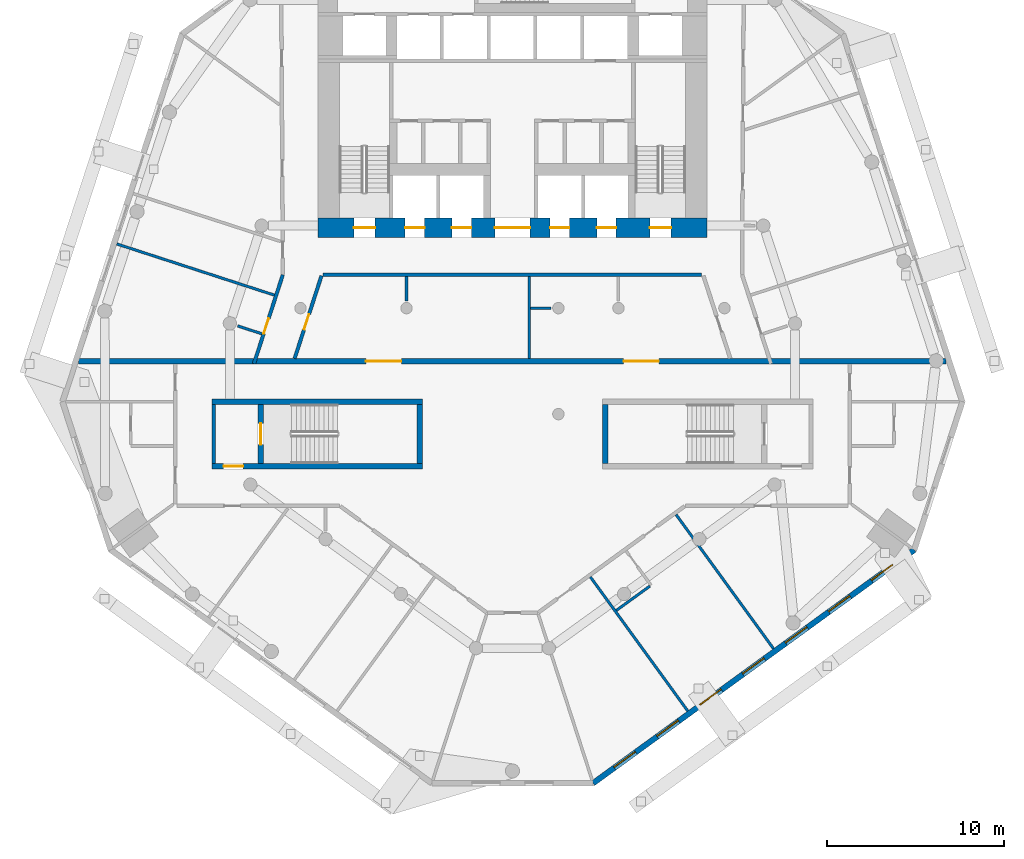
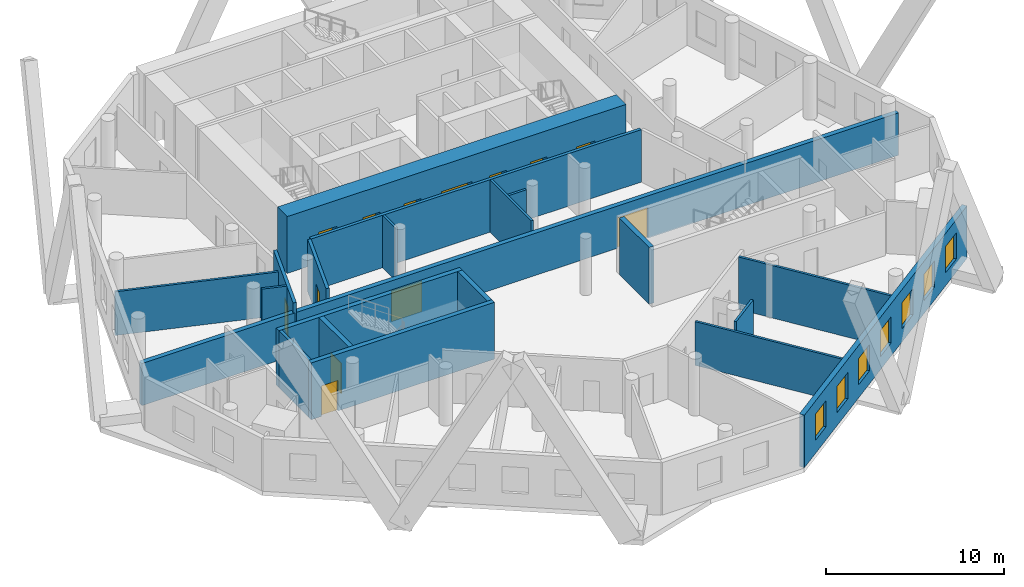
# One storey, part 4 of 10: 20 walls, 13 doors, 7 windows, 20 openings.
"""IFC4 building model written with IfcOpenShell, lengths in metres."""

from ifc_helpers import new_model, si_unit, direction, frame, frame_2d, origin, place, context, subcontext, project, spatial, rectangle, extrude, material, layer, layer_set, type_object, element, fill, save


model = new_model("IFC4")

# Units and contexts
model_context = context("Model", 3, precision=1e-05, world=origin(), true_north=direction((0.0, 1.0)))
body_context = subcontext(model_context, "Body", "Model", "MODEL_VIEW")
ifc_project = project(units=[si_unit("LENGTHUNIT", "METRE"), si_unit("AREAUNIT", "SQUARE_METRE"), si_unit("VOLUMEUNIT", "CUBIC_METRE"), si_unit("PLANEANGLEUNIT", "RADIAN"), si_unit("MASSUNIT", "GRAM", prefix="KILO")], contexts=[model_context])

# Site, building, storey
site_placement = place(None, origin())
site = spatial("IfcSite", under=ifc_project, at=site_placement, CompositionType="ELEMENT")
building_placement = place(site_placement, origin())
building = spatial("IfcBuilding", under=site, at=building_placement, Name="White Candle Pilgrim Tower", CompositionType="ELEMENT")
storey_placement = place(building_placement, frame((0.0, 0.0, 125.89990234375)))
storey = spatial("IfcBuildingStorey", under=building, at=storey_placement, Name="L28", CompositionType="ELEMENT", Elevation=125.89990234375)

# Wall
ifc_material_1 = material(Name="Concrete C60/75", Category="concrete")
ifc_layer_1 = layer(ifc_material_1, 0.199951171875)
ifc_layer_set_1 = layer_set([ifc_layer_1], Name="Core wall 200 mm Concrete C60/75")
wall_type_1 = type_object("IfcWallType", Name="Core wall 200 mm Concrete C60/75", PredefinedType="SHEAR", material=ifc_layer_set_1)
wall_1_placement = place(storey_placement, frame((53.10009765625, 58.199951171875, 0.0), z_axis=(0.0, 0.0, 1.0), x_axis=(0.0, 1.0, 0.0)))
element("IfcWall", 1, at=wall_1_placement, inside=storey, type_object=wall_type_1, Name="WL-L28-C03", PredefinedType="SHEAR", context=body_context, shape_type="SweptSolid", body=[
    extrude(rectangle(XDim=3.35009765625, YDim=0.199951171875, at=frame_2d((1.675048828125, 0.0))), origin(), (0.0, 0.0, 1.0), 3.900146484375),
])

# Wall, opening, door
ifc_material_2 = material(Name="Gypsum board on steel studs", Category="steel")
ifc_layer_2 = layer(ifc_material_2, 0.199951171875)
ifc_layer_set_2 = layer_set([ifc_layer_2], Name="Corridor wall 200 mm EI 45")
wall_type_2 = type_object("IfcWallType", Name="Corridor wall 200 mm EI 45", PredefinedType="PARTITIONING", material=ifc_layer_set_2)
wall_2_placement = place(storey_placement, frame((55.363037109375, 63.85009765625, 0.0), z_axis=(0.0, 0.0, 1.0), x_axis=(0.309051657945, 0.95104525272, 0.0)))
wall_2 = element("IfcWall", 2, at=wall_2_placement, inside=storey, type_object=wall_type_2, Name="WL-L28-P002", PredefinedType="PARTITIONING", context=body_context, shape_type="SweptSolid", body=[
    extrude(rectangle(XDim=5.29345703125, YDim=0.199951171875, at=frame_2d((2.646728515625, 0.0))), origin(), (0.0, 0.0, 1.0), 3.60009765625),
])
opening_1_placement = place(wall_2_placement, frame((1.79150390625, 0.0, 0.0)))
opening_1 = element("IfcOpeningElement", 3, at=opening_1_placement, cuts=wall_2, Name="Opening T09-117", PredefinedType="OPENING", context=body_context, shape_type="SweptSolid", body=[
    extrude(rectangle(XDim=0.89990234375, YDim=2.10009765625, at=frame_2d((0.449951171875, 1.050048828125))), frame((0.0, 0.10986328125, 0.0), z_axis=(0.0, -1.0, 0.0), x_axis=(1.0, 0.0, 0.0)), (0.0, 0.0, 1.0), 0.219970703125),
])
ifc_material_3 = material(Name="Steel door leaf", Category="steel")
door_type_1 = type_object("IfcDoorType", Name="Fire door 900 x 2100 EI 30", OperationType="NOTDEFINED", PredefinedType="DOOR", material=ifc_material_3)
door_1_placement = place(opening_1_placement, origin())
door_1 = element("IfcDoor", 4, at=door_1_placement, inside=storey, type_object=door_type_1, Name="Door T09-117", OperationType="SINGLE_SWING_LEFT", OverallHeight=2.10009765625, OverallWidth=0.89990234375, PredefinedType="DOOR", context=body_context, shape_type="SweptSolid", body=[
    extrude(rectangle(XDim=0.89990234375, YDim=2.10009765625, at=frame_2d((0.449951171875, 1.050048828125))), frame((0.0, 0.02490234375, 0.0), z_axis=(0.0, -1.0, 0.0), x_axis=(1.0, 0.0, 0.0)), (0.0, 0.0, 1.0), 0.050048828125),
])
fill(opening_1, door_1)

# Wall
wall_3_placement = place(storey_placement, frame((80.71533203125, 68.89990234375, 0.0), z_axis=(0.0, 0.0, 1.0), x_axis=(-1.0, 0.0, 0.0)))
element("IfcWall", 5, at=wall_3_placement, inside=storey, type_object=wall_type_2, Name="WL-L28-P013", PredefinedType="PARTITIONING", context=body_context, shape_type="SweptSolid", body=[
    extrude(rectangle(XDim=21.4306640625, YDim=0.199951171875, at=frame_2d((10.71533203125, 0.0))), origin(), (0.0, 0.0, 1.0), 3.60009765625),
])

# Wall, opening, door
wall_4_placement = place(storey_placement, frame((59.189697265625, 68.830810546875, 0.0), z_axis=(0.0, 0.0, 1.0), x_axis=(-0.309031112369, -0.951051928965, 0.0)))
wall_4 = element("IfcWall", 6, at=wall_4_placement, inside=storey, type_object=wall_type_2, Name="WL-L28-P014", PredefinedType="PARTITIONING", context=body_context, shape_type="SweptSolid", body=[
    extrude(rectangle(XDim=4.921875, YDim=0.199951171875, at=frame_2d((2.4609375, 0.0))), origin(), (0.0, 0.0, 1.0), 3.60009765625),
])
opening_2_placement = place(wall_4_placement, frame((2.29150390625, 0.0, 0.0)))
opening_2 = element("IfcOpeningElement", 7, at=opening_2_placement, cuts=wall_4, Name="Opening T09-127", PredefinedType="OPENING", context=body_context, shape_type="SweptSolid", body=[
    extrude(rectangle(XDim=0.89990234375, YDim=2.10009765625, at=frame_2d((0.449951171875, 1.050048828125))), frame((0.0, 0.10986328125, 0.0), z_axis=(0.0, -1.0, 0.0), x_axis=(1.0, 0.0, 0.0)), (0.0, 0.0, 1.0), 0.219970703125),
])
door_2_placement = place(opening_2_placement, origin())
door_2 = element("IfcDoor", 8, at=door_2_placement, inside=storey, type_object=door_type_1, Name="Door T09-127", OperationType="SINGLE_SWING_LEFT", OverallHeight=2.10009765625, OverallWidth=0.89990234375, PredefinedType="DOOR", context=body_context, shape_type="SweptSolid", body=[
    extrude(rectangle(XDim=0.89990234375, YDim=2.10009765625, at=frame_2d((0.449951171875, 1.050048828125))), frame((0.0, 0.02490234375, 0.0), z_axis=(0.0, -1.0, 0.0), x_axis=(1.0, 0.0, 0.0)), (0.0, 0.0, 1.0), 0.050048828125),
])
fill(opening_2, door_2)

# Wall, openings, windows
ifc_material_4 = material(Name="Precast concrete C40/50", Category="concrete")
ifc_layer_3 = layer(ifc_material_4, 0.320068359375)
ifc_layer_set_3 = layer_set([ifc_layer_3], Name="Facade wall EW1 precast concrete C40/50 pier wall with timber-lined reveals")
wall_type_3 = type_object("IfcWallType", Name="Facade wall EW1 precast concrete C40/50 pier wall with timber-lined reveals", PredefinedType="SOLIDWALL", material=ifc_layer_set_3)
wall_5_placement = place(storey_placement, frame((74.56787109375, 40.106689453125, 0.0), z_axis=(0.0, 0.0, 1.0), x_axis=(0.809018352132, 0.587783383496, 0.0)))
wall_5 = element("IfcWall", 9, at=wall_5_placement, inside=storey, type_object=wall_type_3, Name="Facade wall L28 SE", PredefinedType="SOLIDWALL", context=body_context, shape_type="SweptSolid", body=[
    extrude(rectangle(XDim=22.47119140625, YDim=0.320068359375, at=frame_2d((11.235595703125, 0.0))), origin(), (0.0, 0.0, 1.0), 3.60009765625),
])
opening_3_placement = place(wall_5_placement, frame((1.485595703125, 0.0, 0.89990234375)))
opening_3 = element("IfcOpeningElement", 10, at=opening_3_placement, cuts=wall_5, Name="Opening W1", PredefinedType="OPENING", context=body_context, shape_type="SweptSolid", body=[
    extrude(rectangle(XDim=1.5, YDim=1.800048828125, at=frame_2d((0.75, 0.89990234375))), frame((0.0, 0.169921875, 0.0), z_axis=(0.0, -1.0, 0.0), x_axis=(1.0, 0.0, 0.0)), (0.0, 0.0, 1.0), 0.340087890625),
])
opening_4_placement = place(wall_5_placement, frame((4.485595703125, 0.0, 0.89990234375)))
opening_4 = element("IfcOpeningElement", 11, at=opening_4_placement, cuts=wall_5, Name="Opening W1", PredefinedType="OPENING", context=body_context, shape_type="SweptSolid", body=[
    extrude(rectangle(XDim=1.5, YDim=1.800048828125, at=frame_2d((0.75, 0.89990234375))), frame((0.0, 0.169921875, 0.0), z_axis=(0.0, -1.0, 0.0), x_axis=(1.0, 0.0, 0.0)), (0.0, 0.0, 1.0), 0.340087890625),
])
opening_5_placement = place(wall_5_placement, frame((7.485595703125, 0.0, 0.89990234375)))
opening_5 = element("IfcOpeningElement", 12, at=opening_5_placement, cuts=wall_5, Name="Opening W1", PredefinedType="OPENING", context=body_context, shape_type="SweptSolid", body=[
    extrude(rectangle(XDim=1.5, YDim=1.800048828125, at=frame_2d((0.75, 0.89990234375))), frame((0.0, 0.169921875, 0.0), z_axis=(0.0, -1.0, 0.0), x_axis=(1.0, 0.0, 0.0)), (0.0, 0.0, 1.0), 0.340087890625),
])
opening_6_placement = place(wall_5_placement, frame((10.485595703125, 0.0, 0.89990234375)))
opening_6 = element("IfcOpeningElement", 13, at=opening_6_placement, cuts=wall_5, Name="Opening W1", PredefinedType="OPENING", context=body_context, shape_type="SweptSolid", body=[
    extrude(rectangle(XDim=1.5, YDim=1.800048828125, at=frame_2d((0.75, 0.89990234375))), frame((0.0, 0.169921875, 0.0), z_axis=(0.0, -1.0, 0.0), x_axis=(1.0, 0.0, 0.0)), (0.0, 0.0, 1.0), 0.340087890625),
])
opening_7_placement = place(wall_5_placement, frame((13.485595703125, 0.0, 0.89990234375)))
opening_7 = element("IfcOpeningElement", 14, at=opening_7_placement, cuts=wall_5, Name="Opening W1", PredefinedType="OPENING", context=body_context, shape_type="SweptSolid", body=[
    extrude(rectangle(XDim=1.5, YDim=1.800048828125, at=frame_2d((0.75, 0.89990234375))), frame((0.0, 0.169921875, 0.0), z_axis=(0.0, -1.0, 0.0), x_axis=(1.0, 0.0, 0.0)), (0.0, 0.0, 1.0), 0.340087890625),
])
opening_8_placement = place(wall_5_placement, frame((16.485595703125, 0.0, 0.89990234375)))
opening_8 = element("IfcOpeningElement", 15, at=opening_8_placement, cuts=wall_5, Name="Opening W1", PredefinedType="OPENING", context=body_context, shape_type="SweptSolid", body=[
    extrude(rectangle(XDim=1.5, YDim=1.800048828125, at=frame_2d((0.75, 0.89990234375))), frame((0.0, 0.169921875, 0.0), z_axis=(0.0, -1.0, 0.0), x_axis=(1.0, 0.0, 0.0)), (0.0, 0.0, 1.0), 0.340087890625),
])
opening_9_placement = place(wall_5_placement, frame((19.485595703125, 0.0, 0.89990234375)))
opening_9 = element("IfcOpeningElement", 16, at=opening_9_placement, cuts=wall_5, Name="Opening W1", PredefinedType="OPENING", context=body_context, shape_type="SweptSolid", body=[
    extrude(rectangle(XDim=1.5, YDim=1.800048828125, at=frame_2d((0.75, 0.89990234375))), frame((0.0, 0.169921875, 0.0), z_axis=(0.0, -1.0, 0.0), x_axis=(1.0, 0.0, 0.0)), (0.0, 0.0, 1.0), 0.340087890625),
])
ifc_material_5 = material(Name="Timber frame with triple glazing", Category="wood")
window_type = type_object("IfcWindowType", Name="Window W1 1500x1800 timber frame triple glazing", PartitioningType="SINGLE_PANEL", PredefinedType="WINDOW", material=ifc_material_5)
window_1_placement = place(opening_3_placement, origin())
window_1 = element("IfcWindow", 17, at=window_1_placement, inside=storey, type_object=window_type, Name="Window W1 L28 SE 1", OverallHeight=1.800048828125, OverallWidth=1.5, PartitioningType="SINGLE_PANEL", PredefinedType="WINDOW", context=body_context, shape_type="SweptSolid", body=[
    extrude(rectangle(XDim=1.5, YDim=1.800048828125, at=frame_2d((0.75, 0.89990234375))), frame((0.0, 0.070068359375, 0.0), z_axis=(0.0, -1.0, 0.0), x_axis=(1.0, 0.0, 0.0)), (0.0, 0.0, 1.0), 0.06005859375),
])
fill(opening_3, window_1)
window_2_placement = place(opening_4_placement, origin())
window_2 = element("IfcWindow", 18, at=window_2_placement, inside=storey, type_object=window_type, Name="Window W1 L28 SE 2", OverallHeight=1.800048828125, OverallWidth=1.5, PartitioningType="SINGLE_PANEL", PredefinedType="WINDOW", context=body_context, shape_type="SweptSolid", body=[
    extrude(rectangle(XDim=1.5, YDim=1.800048828125, at=frame_2d((0.75, 0.89990234375))), frame((0.0, 0.070068359375, 0.0), z_axis=(0.0, -1.0, 0.0), x_axis=(1.0, 0.0, 0.0)), (0.0, 0.0, 1.0), 0.06005859375),
])
fill(opening_4, window_2)
window_3_placement = place(opening_5_placement, origin())
window_3 = element("IfcWindow", 19, at=window_3_placement, inside=storey, type_object=window_type, Name="Window W1 L28 SE 3", OverallHeight=1.800048828125, OverallWidth=1.5, PartitioningType="SINGLE_PANEL", PredefinedType="WINDOW", context=body_context, shape_type="SweptSolid", body=[
    extrude(rectangle(XDim=1.5, YDim=1.800048828125, at=frame_2d((0.75, 0.89990234375))), frame((0.0, 0.070068359375, 0.0), z_axis=(0.0, -1.0, 0.0), x_axis=(1.0, 0.0, 0.0)), (0.0, 0.0, 1.0), 0.06005859375),
])
fill(opening_5, window_3)
window_4_placement = place(opening_6_placement, origin())
window_4 = element("IfcWindow", 20, at=window_4_placement, inside=storey, type_object=window_type, Name="Window W1 L28 SE 4", OverallHeight=1.800048828125, OverallWidth=1.5, PartitioningType="SINGLE_PANEL", PredefinedType="WINDOW", context=body_context, shape_type="SweptSolid", body=[
    extrude(rectangle(XDim=1.5, YDim=1.800048828125, at=frame_2d((0.75, 0.89990234375))), frame((0.0, 0.070068359375, 0.0), z_axis=(0.0, -1.0, 0.0), x_axis=(1.0, 0.0, 0.0)), (0.0, 0.0, 1.0), 0.06005859375),
])
fill(opening_6, window_4)
window_5_placement = place(opening_7_placement, origin())
window_5 = element("IfcWindow", 21, at=window_5_placement, inside=storey, type_object=window_type, Name="Window W1 L28 SE 5", OverallHeight=1.800048828125, OverallWidth=1.5, PartitioningType="SINGLE_PANEL", PredefinedType="WINDOW", context=body_context, shape_type="SweptSolid", body=[
    extrude(rectangle(XDim=1.5, YDim=1.800048828125, at=frame_2d((0.75, 0.89990234375))), frame((0.0, 0.070068359375, 0.0), z_axis=(0.0, -1.0, 0.0), x_axis=(1.0, 0.0, 0.0)), (0.0, 0.0, 1.0), 0.06005859375),
])
fill(opening_7, window_5)
window_6_placement = place(opening_8_placement, origin())
window_6 = element("IfcWindow", 22, at=window_6_placement, inside=storey, type_object=window_type, Name="Window W1 L28 SE 6", OverallHeight=1.800048828125, OverallWidth=1.5, PartitioningType="SINGLE_PANEL", PredefinedType="WINDOW", context=body_context, shape_type="SweptSolid", body=[
    extrude(rectangle(XDim=1.5, YDim=1.800048828125, at=frame_2d((0.75, 0.89990234375))), frame((0.0, 0.070068359375, 0.0), z_axis=(0.0, -1.0, 0.0), x_axis=(1.0, 0.0, 0.0)), (0.0, 0.0, 1.0), 0.06005859375),
])
fill(opening_8, window_6)
window_7_placement = place(opening_9_placement, origin())
window_7 = element("IfcWindow", 23, at=window_7_placement, inside=storey, type_object=window_type, Name="Window W1 L28 SE 7", OverallHeight=1.800048828125, OverallWidth=1.5, PartitioningType="SINGLE_PANEL", PredefinedType="WINDOW", context=body_context, shape_type="SweptSolid", body=[
    extrude(rectangle(XDim=1.5, YDim=1.800048828125, at=frame_2d((0.75, 0.89990234375))), frame((0.0, 0.070068359375, 0.0), z_axis=(0.0, -1.0, 0.0), x_axis=(1.0, 0.0, 0.0)), (0.0, 0.0, 1.0), 0.06005859375),
])
fill(opening_9, window_7)

# Wall, openings, doors
ifc_material_6 = material(Name="Aerated concrete block", Category="concrete")
ifc_layer_4 = layer(ifc_material_6, 0.300048828125)
ifc_layer_set_4 = layer_set([ifc_layer_4], Name="Fire wall 300 mm REI 240")
wall_type_4 = type_object("IfcWallType", Name="Fire wall 300 mm REI 240", PredefinedType="PARTITIONING", material=ifc_layer_set_4)
wall_6_placement = place(storey_placement, frame((45.444091796875, 64.0, 0.0), z_axis=(0.0, 0.0, 1.0), x_axis=(1.0, 0.0, 0.0)))
wall_6 = element("IfcWall", 24, at=wall_6_placement, inside=storey, type_object=wall_type_4, Name="WL-L28-P001", PredefinedType="PARTITIONING", context=body_context, shape_type="SweptSolid", body=[
    extrude(rectangle(XDim=49.11181640625, YDim=0.300048828125, at=frame_2d((24.555908203125, 0.0))), origin(), (0.0, 0.0, 1.0), 2.900146484375),
])
opening_10_placement = place(wall_6_placement, frame((16.261962890625, 0.0, 0.0)))
opening_10 = element("IfcOpeningElement", 25, at=opening_10_placement, cuts=wall_6, Name="Opening T09-114", PredefinedType="OPENING", context=body_context, shape_type="SweptSolid", body=[
    extrude(rectangle(XDim=2.0, YDim=2.10009765625, at=frame_2d((1.0, 1.050048828125))), frame((0.0, 0.159912109375, 0.0), z_axis=(0.0, -1.0, 0.0), x_axis=(1.0, 0.0, 0.0)), (0.0, 0.0, 1.0), 0.320068359375),
])
opening_11_placement = place(wall_6_placement, frame((30.85009765625, 0.0, 0.0)))
opening_11 = element("IfcOpeningElement", 26, at=opening_11_placement, cuts=wall_6, Name="Opening T09-115", PredefinedType="OPENING", context=body_context, shape_type="SweptSolid", body=[
    extrude(rectangle(XDim=2.0, YDim=2.10009765625, at=frame_2d((1.0, 1.050048828125))), frame((0.0, 0.159912109375, 0.0), z_axis=(0.0, -1.0, 0.0), x_axis=(1.0, 0.0, 0.0)), (0.0, 0.0, 1.0), 0.320068359375),
])
door_type_2 = type_object("IfcDoorType", Name="Fire door 2000 x 2100 EI 60", OperationType="NOTDEFINED", PredefinedType="DOOR", material=ifc_material_3)
door_3_placement = place(opening_10_placement, origin())
door_3 = element("IfcDoor", 27, at=door_3_placement, inside=storey, type_object=door_type_2, Name="Door T09-114", OperationType="DOUBLE_DOOR_SINGLE_SWING", OverallHeight=2.10009765625, OverallWidth=2.0, PredefinedType="DOOR", context=body_context, shape_type="SweptSolid", body=[
    extrude(rectangle(XDim=2.0, YDim=2.10009765625, at=frame_2d((1.0, 1.050048828125))), frame((0.0, 0.02490234375, 0.0), z_axis=(0.0, -1.0, 0.0), x_axis=(1.0, 0.0, 0.0)), (0.0, 0.0, 1.0), 0.050048828125),
])
fill(opening_10, door_3)
door_4_placement = place(opening_11_placement, origin())
door_4 = element("IfcDoor", 28, at=door_4_placement, inside=storey, type_object=door_type_2, Name="Door T09-115", OperationType="DOUBLE_DOOR_SINGLE_SWING", OverallHeight=2.10009765625, OverallWidth=2.0, PredefinedType="DOOR", context=body_context, shape_type="SweptSolid", body=[
    extrude(rectangle(XDim=2.0, YDim=2.10009765625, at=frame_2d((1.0, 1.050048828125))), frame((0.0, 0.02490234375, 0.0), z_axis=(0.0, -1.0, 0.0), x_axis=(1.0, 0.0, 0.0)), (0.0, 0.0, 1.0), 0.050048828125),
])
fill(opening_11, door_4)

# Walls
ifc_layer_5 = layer(ifc_material_2, 0.14990234375)
ifc_layer_set_5 = layer_set([ifc_layer_5], Name="Partition 150 mm EI 60")
wall_type_5 = type_object("IfcWallType", Name="Partition 150 mm EI 60", PredefinedType="PARTITIONING", material=ifc_layer_set_5)
for number, where, z_axis, x_axis, name in (
    (29, (47.599609375, 70.6337890625, 0.0), (0.0, 0.0, 1.0), (0.951060843481, -0.309003676349, 0.0), "WL-L28-P025"),
    (30, (79.923095703125, 44.1953125, 0.0), (0.0, 0.0, 1.0), (-0.587795561305, 0.809009504339, 0.0), "WL-L28-P031"),
):
    element("IfcWall", number, at=place(storey_placement, frame(where, z_axis=z_axis, x_axis=x_axis)), inside=storey, type_object=wall_type_5, Name=name, PredefinedType="PARTITIONING", context=body_context, shape_type="SweptSolid", body=[
        extrude(rectangle(XDim=9.3798828125, YDim=0.14990234375, at=frame_2d((4.68994140625, 0.0))), origin(), (0.0, 0.0, 1.0), 3.0),
    ])
wall_7_placement = place(storey_placement, frame((84.77734375, 47.721923828125, 0.0), z_axis=(0.0, 0.0, 1.0), x_axis=(-0.587783184234, 0.809018496903, 0.0)))
element("IfcWall", 31, at=wall_7_placement, inside=storey, type_object=wall_type_5, Name="WL-L28-P032", PredefinedType="PARTITIONING", context=body_context, shape_type="SweptSolid", body=[
    extrude(rectangle(XDim=9.380126953125, YDim=0.14990234375, at=frame_2d((4.68994140625, 0.0))), origin(), (0.0, 0.0, 1.0), 3.60009765625),
])
wall_8_placement = place(storey_placement, frame((75.881103515625, 49.88623046875, 0.0), z_axis=(0.0, 0.0, 1.0), x_axis=(0.808996573949, 0.587813357571, 0.0)))
element("IfcWall", 32, at=wall_8_placement, inside=storey, type_object=wall_type_5, Name="WL-L28-P034", PredefinedType="PARTITIONING", context=body_context, shape_type="SweptSolid", body=[
    extrude(rectangle(XDim=2.35009765625, YDim=0.14990234375, at=frame_2d((1.175048828125, 0.0))), origin(), (0.0, 0.0, 1.0), 3.60009765625),
])
wall_9_placement = place(storey_placement, frame((70.95458984375, 64.14990234375, 0.0), z_axis=(0.0, 0.0, 1.0), x_axis=(0.0, 1.0, 0.0)))
element("IfcWall", 33, at=wall_9_placement, inside=storey, type_object=wall_type_5, Name="WL-L28-P039", PredefinedType="PARTITIONING", context=body_context, shape_type="SweptSolid", body=[
    extrude(rectangle(XDim=4.650146484375, YDim=0.14990234375, at=frame_2d((2.3251953125, 0.0))), origin(), (0.0, 0.0, 1.0), 3.60009765625),
])
wall_10_placement = place(storey_placement, frame((54.441162109375, 65.992919921875, 0.0), z_axis=(0.0, 0.0, 1.0), x_axis=(0.951031575326, -0.309093744246, 0.0)))
element("IfcWall", 34, at=wall_10_placement, inside=storey, type_object=wall_type_5, Name="WL-L28-P044", PredefinedType="PARTITIONING", context=body_context, shape_type="SweptSolid", body=[
    extrude(rectangle(XDim=1.439208984375, YDim=0.14990234375, at=frame_2d((0.7197265625, 0.0))), origin(), (0.0, 0.0, 1.0), 3.60009765625),
])
wall_11_placement = place(storey_placement, frame((63.997802734375, 67.4150390625, 0.0), z_axis=(0.0, 0.0, 1.0), x_axis=(0.0, 1.0, 0.0)))
element("IfcWall", 35, at=wall_11_placement, inside=storey, type_object=wall_type_5, Name="WL-L28-P045", PredefinedType="PARTITIONING", context=body_context, shape_type="SweptSolid", body=[
    extrude(rectangle(XDim=1.385009765625, YDim=0.14990234375, at=frame_2d((0.6923828125, 0.0))), origin(), (0.0, 0.0, 1.0), 3.60009765625),
])
wall_12_placement = place(storey_placement, frame((72.18505859375, 66.997802734375, 0.0), z_axis=(0.0, 0.0, 1.0), x_axis=(-1.0, 0.0, 0.0)))
element("IfcWall", 36, at=wall_12_placement, inside=storey, type_object=wall_type_5, Name="WL-L28-P046", PredefinedType="PARTITIONING", context=body_context, shape_type="SweptSolid", body=[
    extrude(rectangle(XDim=1.155517578125, YDim=0.14990234375, at=frame_2d((0.57763671875, 0.0))), origin(), (0.0, 0.0, 1.0), 3.60009765625),
])

# Wall, openings, doors
ifc_layer_6 = layer(ifc_material_1, 1.10009765625)
ifc_layer_set_6 = layer_set([ifc_layer_6], Name="Stair shaft wall 1100 mm Concrete C60/75")
wall_type_6 = type_object("IfcWallType", Name="Stair shaft wall 1100 mm Concrete C60/75", PredefinedType="SHEAR", material=ifc_layer_set_6)
wall_13_placement = place(storey_placement, frame((59.0, 71.550048828125, 0.0), z_axis=(0.0, 0.0, 1.0), x_axis=(1.0, 0.0, 0.0)))
wall_13 = element("IfcWall", 37, at=wall_13_placement, inside=storey, type_object=wall_type_6, Name="WL-L28-C11", PredefinedType="SHEAR", context=body_context, shape_type="SweptSolid", body=[
    extrude(rectangle(XDim=22.0, YDim=1.10009765625, at=frame_2d((11.0, 0.0))), origin(), (0.0, 0.0, 1.0), 3.900146484375),
])
opening_12_placement = place(wall_13_placement, frame((2.02490234375, 0.0, 0.0)))
opening_12 = element("IfcOpeningElement", 38, at=opening_12_placement, cuts=wall_13, Name="Opening T09-001", PredefinedType="OPENING", context=body_context, shape_type="SweptSolid", body=[
    extrude(rectangle(XDim=1.199951171875, YDim=2.10009765625, at=frame_2d((0.60009765625, 1.050048828125))), frame((0.0, 0.56005859375, 0.0), z_axis=(0.0, -1.0, 0.0), x_axis=(1.0, 0.0, 0.0)), (0.0, 0.0, 1.0), 1.1201171875),
])
opening_13_placement = place(wall_13_placement, frame((18.77490234375, 0.0, 0.0)))
opening_13 = element("IfcOpeningElement", 39, at=opening_13_placement, cuts=wall_13, Name="Opening T09-002", PredefinedType="OPENING", context=body_context, shape_type="SweptSolid", body=[
    extrude(rectangle(XDim=1.199951171875, YDim=2.10009765625, at=frame_2d((0.60009765625, 1.050048828125))), frame((0.0, 0.56005859375, 0.0), z_axis=(0.0, -1.0, 0.0), x_axis=(1.0, 0.0, 0.0)), (0.0, 0.0, 1.0), 1.1201171875),
])
opening_14_placement = place(wall_13_placement, frame((10.0, 0.0, 0.0)))
opening_14 = element("IfcOpeningElement", 40, at=opening_14_placement, cuts=wall_13, Name="Opening T09-004", PredefinedType="OPENING", context=body_context, shape_type="SweptSolid", body=[
    extrude(rectangle(XDim=2.0, YDim=2.10009765625, at=frame_2d((1.0, 1.050048828125))), frame((0.0, 0.56005859375, 0.0), z_axis=(0.0, -1.0, 0.0), x_axis=(1.0, 0.0, 0.0)), (0.0, 0.0, 1.0), 1.1201171875),
])
opening_15_placement = place(wall_13_placement, frame((4.925048828125, 0.0, 0.0)))
opening_15 = element("IfcOpeningElement", 41, at=opening_15_placement, cuts=wall_13, Name="Opening T09-014", PredefinedType="OPENING", context=body_context, shape_type="SweptSolid", body=[
    extrude(rectangle(XDim=1.10009765625, YDim=2.10009765625, at=frame_2d((0.550048828125, 1.050048828125))), frame((0.0, 0.56005859375, 0.0), z_axis=(0.0, -1.0, 0.0), x_axis=(1.0, 0.0, 0.0)), (0.0, 0.0, 1.0), 1.1201171875),
])
opening_16_placement = place(wall_13_placement, frame((7.574951171875, 0.0, 0.0)))
opening_16 = element("IfcOpeningElement", 42, at=opening_16_placement, cuts=wall_13, Name="Opening T09-015", PredefinedType="OPENING", context=body_context, shape_type="SweptSolid", body=[
    extrude(rectangle(XDim=1.10009765625, YDim=2.10009765625, at=frame_2d((0.550048828125, 1.050048828125))), frame((0.0, 0.56005859375, 0.0), z_axis=(0.0, -1.0, 0.0), x_axis=(1.0, 0.0, 0.0)), (0.0, 0.0, 1.0), 1.1201171875),
])
opening_17_placement = place(wall_13_placement, frame((13.125, 0.0, 0.0)))
opening_17 = element("IfcOpeningElement", 43, at=opening_17_placement, cuts=wall_13, Name="Opening T09-016", PredefinedType="OPENING", context=body_context, shape_type="SweptSolid", body=[
    extrude(rectangle(XDim=1.10009765625, YDim=2.10009765625, at=frame_2d((0.550048828125, 1.050048828125))), frame((0.0, 0.56005859375, 0.0), z_axis=(0.0, -1.0, 0.0), x_axis=(1.0, 0.0, 0.0)), (0.0, 0.0, 1.0), 1.1201171875),
])
opening_18_placement = place(wall_13_placement, frame((15.77490234375, 0.0, 0.0)))
opening_18 = element("IfcOpeningElement", 44, at=opening_18_placement, cuts=wall_13, Name="Opening T09-017", PredefinedType="OPENING", context=body_context, shape_type="SweptSolid", body=[
    extrude(rectangle(XDim=1.10009765625, YDim=2.10009765625, at=frame_2d((0.550048828125, 1.050048828125))), frame((0.0, 0.56005859375, 0.0), z_axis=(0.0, -1.0, 0.0), x_axis=(1.0, 0.0, 0.0)), (0.0, 0.0, 1.0), 1.1201171875),
])
door_type_3 = type_object("IfcDoorType", Name="Fire door 1200 x 2100 EI 60", OperationType="NOTDEFINED", PredefinedType="DOOR", material=ifc_material_3)
door_5_placement = place(opening_12_placement, frame((1.199951171875, 0.0, 0.0), z_axis=(0.0, 0.0, 1.0), x_axis=(-1.0, 0.0, 0.0)))
door_5 = element("IfcDoor", 45, at=door_5_placement, inside=storey, type_object=door_type_3, Name="Door T09-001", OperationType="SINGLE_SWING_RIGHT", OverallHeight=2.10009765625, OverallWidth=1.199951171875, PredefinedType="DOOR", context=body_context, shape_type="SweptSolid", body=[
    extrude(rectangle(XDim=1.199951171875, YDim=2.10009765625, at=frame_2d((0.60009765625, 1.050048828125))), frame((0.0, 0.02490234375, 0.0), z_axis=(0.0, -1.0, 0.0), x_axis=(1.0, 0.0, 0.0)), (0.0, 0.0, 1.0), 0.050048828125),
])
fill(opening_12, door_5)
door_6_placement = place(opening_13_placement, frame((1.199951171875, 0.0, 0.0), z_axis=(0.0, 0.0, 1.0), x_axis=(-1.0, 0.0, 0.0)))
door_6 = element("IfcDoor", 46, at=door_6_placement, inside=storey, type_object=door_type_3, Name="Door T09-002", OperationType="SINGLE_SWING_LEFT", OverallHeight=2.10009765625, OverallWidth=1.199951171875, PredefinedType="DOOR", context=body_context, shape_type="SweptSolid", body=[
    extrude(rectangle(XDim=1.199951171875, YDim=2.10009765625, at=frame_2d((0.60009765625, 1.050048828125))), frame((0.0, 0.02490234375, 0.0), z_axis=(0.0, -1.0, 0.0), x_axis=(1.0, 0.0, 0.0)), (0.0, 0.0, 1.0), 0.050048828125),
])
fill(opening_13, door_6)
door_7_placement = place(opening_14_placement, frame((2.0, 0.0, 0.0), z_axis=(0.0, 0.0, 1.0), x_axis=(-1.0, 0.0, 0.0)))
door_7 = element("IfcDoor", 47, at=door_7_placement, inside=storey, type_object=door_type_2, Name="Door T09-004", OperationType="DOUBLE_DOOR_SINGLE_SWING", OverallHeight=2.10009765625, OverallWidth=2.0, PredefinedType="DOOR", context=body_context, shape_type="SweptSolid", body=[
    extrude(rectangle(XDim=2.0, YDim=2.10009765625, at=frame_2d((1.0, 1.050048828125))), frame((0.0, 0.02490234375, 0.0), z_axis=(0.0, -1.0, 0.0), x_axis=(1.0, 0.0, 0.0)), (0.0, 0.0, 1.0), 0.050048828125),
])
fill(opening_14, door_7)
ifc_material_7 = material(Name="Stainless steel", Category="steel")
door_type_4 = type_object("IfcDoorType", Name="Lift landing door 1100 x 2100 E 60", OperationType="DOUBLE_DOOR_SLIDING", PredefinedType="DOOR", material=ifc_material_7)
door_8_placement = place(opening_15_placement, origin())
door_8 = element("IfcDoor", 48, at=door_8_placement, inside=storey, type_object=door_type_4, Name="Door T09-014", OperationType="DOUBLE_DOOR_SLIDING", OverallHeight=2.10009765625, OverallWidth=1.10009765625, PredefinedType="DOOR", context=body_context, shape_type="SweptSolid", body=[
    extrude(rectangle(XDim=1.10009765625, YDim=2.10009765625, at=frame_2d((0.550048828125, 1.050048828125))), frame((0.0, 0.02490234375, 0.0), z_axis=(0.0, -1.0, 0.0), x_axis=(1.0, 0.0, 0.0)), (0.0, 0.0, 1.0), 0.050048828125),
])
fill(opening_15, door_8)
door_9_placement = place(opening_16_placement, origin())
door_9 = element("IfcDoor", 49, at=door_9_placement, inside=storey, type_object=door_type_4, Name="Door T09-015", OperationType="DOUBLE_DOOR_SLIDING", OverallHeight=2.10009765625, OverallWidth=1.10009765625, PredefinedType="DOOR", context=body_context, shape_type="SweptSolid", body=[
    extrude(rectangle(XDim=1.10009765625, YDim=2.10009765625, at=frame_2d((0.550048828125, 1.050048828125))), frame((0.0, 0.02490234375, 0.0), z_axis=(0.0, -1.0, 0.0), x_axis=(1.0, 0.0, 0.0)), (0.0, 0.0, 1.0), 0.050048828125),
])
fill(opening_16, door_9)
door_10_placement = place(opening_17_placement, origin())
door_10 = element("IfcDoor", 50, at=door_10_placement, inside=storey, type_object=door_type_4, Name="Door T09-016", OperationType="DOUBLE_DOOR_SLIDING", OverallHeight=2.10009765625, OverallWidth=1.10009765625, PredefinedType="DOOR", context=body_context, shape_type="SweptSolid", body=[
    extrude(rectangle(XDim=1.10009765625, YDim=2.10009765625, at=frame_2d((0.550048828125, 1.050048828125))), frame((0.0, 0.02490234375, 0.0), z_axis=(0.0, -1.0, 0.0), x_axis=(1.0, 0.0, 0.0)), (0.0, 0.0, 1.0), 0.050048828125),
])
fill(opening_17, door_10)
door_11_placement = place(opening_18_placement, origin())
door_11 = element("IfcDoor", 51, at=door_11_placement, inside=storey, type_object=door_type_4, Name="Door T09-017", OperationType="DOUBLE_DOOR_SLIDING", OverallHeight=2.10009765625, OverallWidth=1.10009765625, PredefinedType="DOOR", context=body_context, shape_type="SweptSolid", body=[
    extrude(rectangle(XDim=1.10009765625, YDim=2.10009765625, at=frame_2d((0.550048828125, 1.050048828125))), frame((0.0, 0.02490234375, 0.0), z_axis=(0.0, -1.0, 0.0), x_axis=(1.0, 0.0, 0.0)), (0.0, 0.0, 1.0), 0.050048828125),
])
fill(opening_18, door_11)

# Wall, opening, door
ifc_layer_7 = layer(ifc_material_1, 0.300048828125)
ifc_layer_set_7 = layer_set([ifc_layer_7], Name="Stair shaft wall 300 mm Concrete C60/75")
wall_type_7 = type_object("IfcWallType", Name="Stair shaft wall 300 mm Concrete C60/75", PredefinedType="SHEAR", material=ifc_layer_set_7)
wall_14_placement = place(storey_placement, frame((53.0, 58.050048828125, 0.0), z_axis=(0.0, 0.0, 1.0), x_axis=(1.0, 0.0, 0.0)))
wall_14 = element("IfcWall", 52, at=wall_14_placement, inside=storey, type_object=wall_type_7, Name="WL-L28-C01", PredefinedType="SHEAR", context=body_context, shape_type="SweptSolid", body=[
    extrude(rectangle(XDim=11.89990234375, YDim=0.300048828125, at=frame_2d((5.949951171875, 0.0))), origin(), (0.0, 0.0, 1.0), 3.900146484375),
])
opening_19_placement = place(wall_14_placement, frame((0.64990234375, 0.0, 0.0)))
opening_19 = element("IfcOpeningElement", 53, at=opening_19_placement, cuts=wall_14, Name="Opening T09-007", PredefinedType="OPENING", context=body_context, shape_type="SweptSolid", body=[
    extrude(rectangle(XDim=1.10009765625, YDim=2.10009765625, at=frame_2d((0.550048828125, 1.050048828125))), frame((0.0, 0.159912109375, 0.0), z_axis=(0.0, -1.0, 0.0), x_axis=(1.0, 0.0, 0.0)), (0.0, 0.0, 1.0), 0.320068359375),
])
door_type_5 = type_object("IfcDoorType", Name="Fire door 1100 x 2100 EI 60", OperationType="NOTDEFINED", PredefinedType="DOOR", material=ifc_material_3)
door_12_placement = place(opening_19_placement, origin())
door_12 = element("IfcDoor", 54, at=door_12_placement, inside=storey, type_object=door_type_5, Name="Door T09-007", OperationType="SINGLE_SWING_LEFT", OverallHeight=2.10009765625, OverallWidth=1.10009765625, PredefinedType="DOOR", context=body_context, shape_type="SweptSolid", body=[
    extrude(rectangle(XDim=1.10009765625, YDim=2.10009765625, at=frame_2d((0.550048828125, 1.050048828125))), frame((0.0, 0.02490234375, 0.0), z_axis=(0.0, -1.0, 0.0), x_axis=(1.0, 0.0, 0.0)), (0.0, 0.0, 1.0), 0.050048828125),
])
fill(opening_19, door_12)

wall_15_placement = place(storey_placement, frame((55.75, 58.199951171875, 0.0), z_axis=(0.0, 0.0, 1.0), x_axis=(0.0, 1.0, 0.0)))
wall_15 = element("IfcWall", 55, at=wall_15_placement, inside=storey, type_object=wall_type_7, Name="WL-L28-C04", PredefinedType="SHEAR", context=body_context, shape_type="SweptSolid", body=[
    extrude(rectangle(XDim=3.35009765625, YDim=0.300048828125, at=frame_2d((1.675048828125, 0.0))), origin(), (0.0, 0.0, 1.0), 3.900146484375),
])
opening_20_placement = place(wall_15_placement, frame((1.074951171875, 0.0, 0.0)))
opening_20 = element("IfcOpeningElement", 56, at=opening_20_placement, cuts=wall_15, Name="Opening T09-008", PredefinedType="OPENING", context=body_context, shape_type="SweptSolid", body=[
    extrude(rectangle(XDim=1.199951171875, YDim=2.10009765625, at=frame_2d((0.60009765625, 1.050048828125))), frame((0.0, 0.159912109375, 0.0), z_axis=(0.0, -1.0, 0.0), x_axis=(1.0, 0.0, 0.0)), (0.0, 0.0, 1.0), 0.320068359375),
])
door_13_placement = place(opening_20_placement, frame((1.199951171875, 0.0, 0.0), z_axis=(0.0, 0.0, 1.0), x_axis=(-1.0, 0.0, 0.0)))
door_13 = element("IfcDoor", 57, at=door_13_placement, inside=storey, type_object=door_type_3, Name="Door T09-008", OperationType="SINGLE_SWING_LEFT", OverallHeight=2.10009765625, OverallWidth=1.199951171875, PredefinedType="DOOR", context=body_context, shape_type="SweptSolid", body=[
    extrude(rectangle(XDim=1.199951171875, YDim=2.10009765625, at=frame_2d((0.60009765625, 1.050048828125))), frame((0.0, 0.02490234375, 0.0), z_axis=(0.0, -1.0, 0.0), x_axis=(1.0, 0.0, 0.0)), (0.0, 0.0, 1.0), 0.050048828125),
])
fill(opening_20, door_13)

# Walls
for number, where, z_axis, x_axis, name in (
    (58, (64.75, 58.199951171875, 0.0), (0.0, 0.0, 1.0), (0.0, 1.0, 0.0), "WL-L28-C05"),
    (59, (75.25, 58.199951171875, 0.0), (0.0, 0.0, 1.0), (0.0, 1.0, 0.0), "WL-L28-C06"),
):
    element("IfcWall", number, at=place(storey_placement, frame(where, z_axis=z_axis, x_axis=x_axis)), inside=storey, type_object=wall_type_7, Name=name, PredefinedType="SHEAR", context=body_context, shape_type="SweptSolid", body=[
        extrude(rectangle(XDim=3.35009765625, YDim=0.300048828125, at=frame_2d((1.675048828125, 0.0))), origin(), (0.0, 0.0, 1.0), 3.900146484375),
    ])
wall_16_placement = place(storey_placement, frame((53.0, 61.699951171875, 0.0), z_axis=(0.0, 0.0, 1.0), x_axis=(1.0, 0.0, 0.0)))
element("IfcWall", 60, at=wall_16_placement, inside=storey, type_object=wall_type_7, Name="WL-L28-C09", PredefinedType="SHEAR", context=body_context, shape_type="SweptSolid", body=[
    extrude(rectangle(XDim=11.89990234375, YDim=0.300048828125, at=frame_2d((5.949951171875, 0.0))), origin(), (0.0, 0.0, 1.0), 3.900146484375),
])

save(model, "model.ifc")
